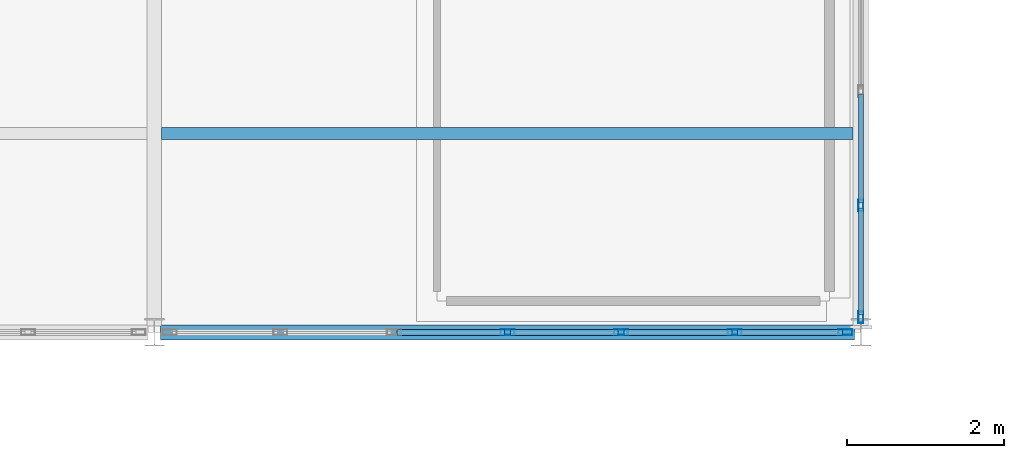
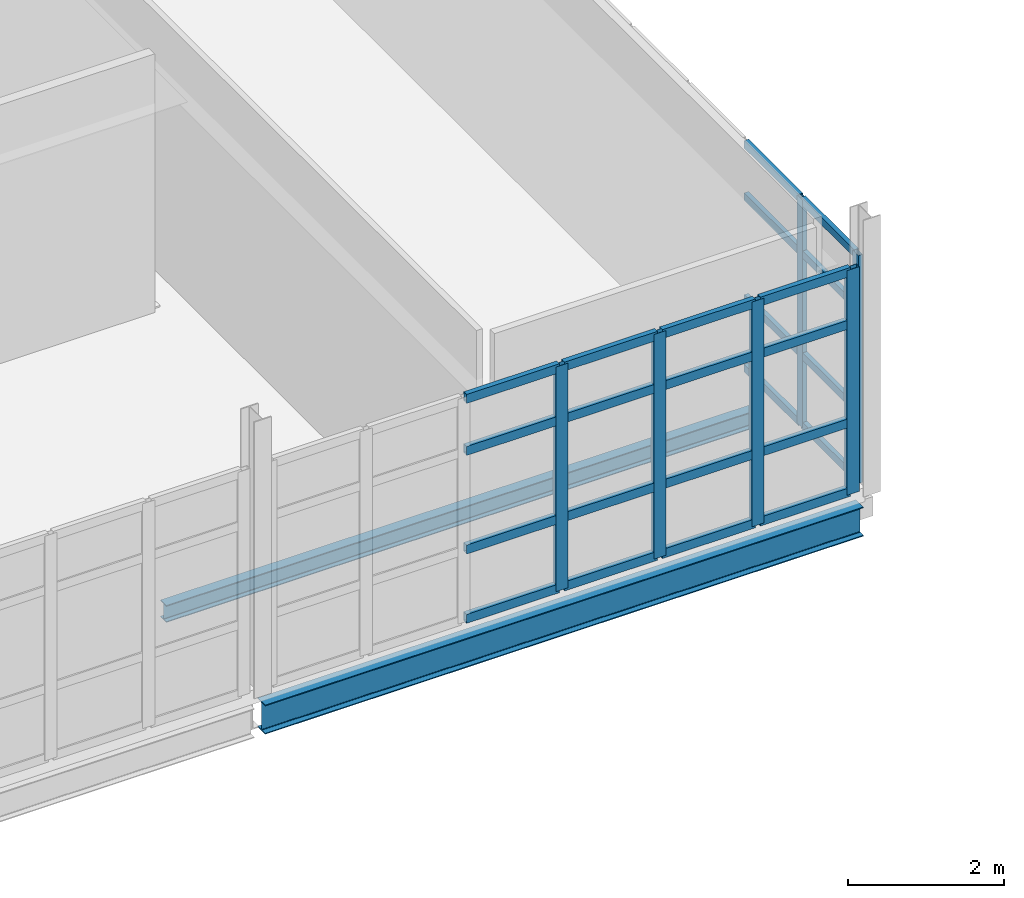
# One storey, part 116 of 174: 30 members, 2 beams, 2 elements without a shape of their own.
"""IFC4 building model written with IfcOpenShell, lengths in metres."""

import ifcopenshell
import ifcopenshell.guid

model = None  # the IFC model being written
_history = None  # IfcOwnerHistory: only IFC2X3 demands one
_inside = {}  # id of a spatial element -> (the spatial element, [elements in it])
_under = {}  # id of a project, library or spatial element -> (it, [spatial elements below it])
_declared = {}  # id of a project -> (the project, [libraries it declares])
_typed = {}  # id of a type object -> (the type object, [elements of that type])
_made_of = {}  # id of a material, layer set ... -> (it, [elements and type objects made of it])


def new_model(schema):
    """Start an empty IFC model of exactly this schema.

    Asked for "IFC4X3", IfcOpenShell would pick the latest addendum, in which some entities
    have other attributes; the version numbers below select the first issue.
    IFC2X3 requires an IfcOwnerHistory on every rooted entity: one is made here for all.
    """
    global model, _history
    if schema == "IFC4X3":
        model = ifcopenshell.file(schema_version=(4, 3, 0, 0))
    else:
        model = ifcopenshell.file(schema=schema)
    _inside.clear()
    _under.clear()
    _declared.clear()
    _typed.clear()
    _made_of.clear()
    _history = None
    if model.schema == "IFC2X3":
        org = make("IfcOrganization", Name="unknown")
        user = make(
            "IfcPersonAndOrganization",
            ThePerson=make("IfcPerson", FamilyName="unknown"),
            TheOrganization=org,
        )
        app = make(
            "IfcApplication",
            ApplicationDeveloper=org,
            Version="unknown",
            ApplicationFullName="unknown",
            ApplicationIdentifier="unknown",
        )
        _history = make(
            "IfcOwnerHistory",
            OwningUser=user,
            OwningApplication=app,
            ChangeAction="ADDED",
            CreationDate=0,
        )
    return model


def make(cls, **values):
    """One entity of the class cls with the attributes given. An attribute that is None is left unset."""
    return model.create_entity(
        cls, **{name: value for name, value in values.items() if value is not None}
    )


def rooted(cls, **values):
    """An entity with a GlobalId (a new one), such as an element, a storey or a relation."""
    return make(cls, GlobalId=ifcopenshell.guid.new(), OwnerHistory=_history, **values)


def si_unit(unit_type, name, prefix=None):
    """IfcSIUnit, for example si_unit("LENGTHUNIT", "METRE", prefix="MILLI")."""
    return make("IfcSIUnit", UnitType=unit_type, Prefix=prefix, Name=name)


def assignment(units):
    """IfcUnitAssignment: the units of a project."""
    return None if units is None else make("IfcUnitAssignment", Units=units)


def point(xyz):
    """IfcCartesianPoint."""
    return None if xyz is None else make("IfcCartesianPoint", Coordinates=xyz)


def direction(xyz):
    """IfcDirection."""
    return None if xyz is None else make("IfcDirection", DirectionRatios=xyz)


def frame(location, z_axis=None, x_axis=None):
    """IfcAxis2Placement3D, a coordinate frame: its origin and axes. An axis left out is left unset."""
    return make(
        "IfcAxis2Placement3D",
        Location=point(location),
        Axis=direction(z_axis),
        RefDirection=direction(x_axis),
    )


def frame_2d(location, x_axis=None):
    """IfcAxis2Placement2D, a coordinate frame in the plane: its origin and x axis."""
    return make(
        "IfcAxis2Placement2D", Location=point(location), RefDirection=direction(x_axis)
    )


def origin():
    """The frame at (0, 0, 0) with its axes left unset."""
    return frame((0.0, 0.0, 0.0))


def origin_2d():
    """The frame at (0, 0) in the plane with its x axis left unset."""
    return frame_2d((0.0, 0.0))


def place(relative_to, where):
    """IfcLocalPlacement: puts the frame where relative to a parent placement (None: the world)."""
    return make(
        "IfcLocalPlacement", PlacementRelTo=relative_to, RelativePlacement=where
    )


def context(
    kind, dimensions, precision=None, world=None, true_north=None, identifier=None
):
    """IfcGeometricRepresentationContext, for example the 3D "Model" context."""
    return make(
        "IfcGeometricRepresentationContext",
        ContextIdentifier=identifier,
        ContextType=kind,
        CoordinateSpaceDimension=dimensions,
        Precision=precision,
        WorldCoordinateSystem=world,
        TrueNorth=true_north,
    )


def subcontext(parent, identifier, kind, view, scale=None):
    """IfcGeometricRepresentationSubContext, for example "Body" below "Model"."""
    return make(
        "IfcGeometricRepresentationSubContext",
        ContextIdentifier=identifier,
        ContextType=kind,
        ParentContext=parent,
        TargetScale=scale,
        TargetView=view,
    )


def project(units=None, contexts=None):
    """IfcProject with its units and contexts."""
    return rooted(
        "IfcProject",
        Name="project",
        RepresentationContexts=contexts,
        UnitsInContext=assignment(units),
    )


def spatial(cls, under=None, at=None, **own):
    """A site, building, storey or space (cls), placed at a placement, below another one or the project."""
    s = rooted(cls, ObjectPlacement=at, **own)
    if under is not None:
        _under.setdefault(under.id(), (under, []))[1].append(s)
    return s


def profile(cls, at=None, kind="AREA", **sizes):
    """A parametric profile (cls). Its sizes go by their IFC names, for example OverallWidth=200.0."""
    return make(cls, ProfileType=kind, Position=at, **sizes)


def hollow_rectangle(**sizes):
    """IfcRectangleHollowProfileDef."""
    return profile("IfcRectangleHollowProfileDef", **sizes)


def i_section(**sizes):
    """IfcIShapeProfileDef."""
    return profile("IfcIShapeProfileDef", **sizes)


def extrude(swept, where, along, depth):
    """IfcExtrudedAreaSolid: the profile swept, set in the frame where, extruded along a direction by depth."""
    return make(
        "IfcExtrudedAreaSolid",
        SweptArea=swept,
        Position=where,
        ExtrudedDirection=direction(along),
        Depth=depth,
    )


def shape(context_of_items, identifier, shape_type, items):
    """IfcShapeRepresentation: the items that make up one representation, for example the "Body"."""
    return make(
        "IfcShapeRepresentation",
        ContextOfItems=context_of_items,
        RepresentationIdentifier=identifier,
        RepresentationType=shape_type,
        Items=items,
    )


def material(Name=None, Category=None):
    """IfcMaterial."""
    return make("IfcMaterial", Name=Name, Category=Category)


def material_profile(
    of_material, cross_section, Name=None, Category=None, Priority=None
):
    """IfcMaterialProfile: a cross section and its material."""
    return make(
        "IfcMaterialProfile",
        Name=Name,
        Material=of_material,
        Profile=cross_section,
        Priority=Priority,
        Category=Category,
    )


def profile_set(profiles, Name=None, composite=None):
    """IfcMaterialProfileSet."""
    return make(
        "IfcMaterialProfileSet",
        Name=Name,
        MaterialProfiles=profiles,
        CompositeProfile=composite,
    )


def made_of(thing, what):
    """Note that an element or type object is made of a material, layer set ...; save() writes the relation."""
    if what is not None:
        _made_of.setdefault(what.id(), (what, []))[1].append(thing)
    return thing


def type_object(cls, material=None, **own):
    """A type object (cls), such as IfcWallType, which elements share."""
    return made_of(rooted(cls, **own), material)


def element(
    cls,
    number,
    at=None,
    inside=None,
    cuts=None,
    type_object=None,
    material=None,
    context=None,
    identifier="Body",
    shape_type=None,
    held_by="IfcProductDefinitionShape",
    body=None,
    shapes=None,
    **own,
):
    """One element of the class cls, such as IfcWall. Its Tag is "e" and its number.

    at: its placement. inside: the storey or other place that contains it. cuts: it is an
    opening in that element (IfcRelVoidsElement). A single representation is given by context,
    identifier, shape_type and body (its items); several are given by shapes. held_by: the class
    of the entity that holds the representations. save() writes the other relations.
    """
    e = rooted(cls, Tag="e%d" % number, ObjectPlacement=at, **own)
    if body is not None:
        shapes = [shape(context, identifier, shape_type, body)]
    if shapes is not None:
        e.Representation = make(held_by, Representations=shapes)
    if inside is not None:
        _inside.setdefault(inside.id(), (inside, []))[1].append(e)
    if cuts is not None:
        rooted(
            "IfcRelVoidsElement", RelatingBuildingElement=cuts, RelatedOpeningElement=e
        )
    if type_object is not None:
        _typed.setdefault(type_object.id(), (type_object, []))[1].append(e)
    return made_of(e, material)


def aggregate(whole, parts):
    """IfcRelAggregates: a whole, such as a stair, and the parts it consists of."""
    return rooted("IfcRelAggregates", RelatingObject=whole, RelatedObjects=parts)


def save(model, path):
    """Write the relations noted so far, then the file.

    IfcRelAggregates (storeys below a building ...), IfcRelContainedInSpatialStructure (elements
    in a storey), IfcRelDefinesByType, IfcRelAssociatesMaterial and IfcRelDeclares: one each for
    every whole, place, type object, material and project.
    """
    for whole, parts in _under.values():
        aggregate(whole, parts)
    for where, things in _inside.values():
        rooted(
            "IfcRelContainedInSpatialStructure",
            RelatedElements=things,
            RelatingStructure=where,
        )
    for kind, things in _typed.values():
        rooted("IfcRelDefinesByType", RelatedObjects=things, RelatingType=kind)
    for what, things in _made_of.values():
        rooted("IfcRelAssociatesMaterial", RelatedObjects=things, RelatingMaterial=what)
    for by, libraries in _declared.values():
        rooted("IfcRelDeclares", RelatingContext=by, RelatedDefinitions=libraries)
    model.write(path)


model = new_model("IFC4")

# Units and contexts
model_context = context("Model", 3, precision=1e-05, world=origin(), true_north=direction((0.0, 1.0)))
body_context = subcontext(model_context, "Body", "Model", "MODEL_VIEW")
ifc_project = project(units=[si_unit("LENGTHUNIT", "METRE"), si_unit("AREAUNIT", "SQUARE_METRE"), si_unit("VOLUMEUNIT", "CUBIC_METRE"), si_unit("PLANEANGLEUNIT", "RADIAN"), si_unit("MASSUNIT", "GRAM", prefix="KILO")], contexts=[model_context])

# Site, building, storey
site_placement = place(None, origin())
site = spatial("IfcSite", under=ifc_project, at=site_placement, CompositionType="ELEMENT")
building_placement = place(site_placement, origin())
building = spatial("IfcBuilding", under=site, at=building_placement, Name="Caisbarro Railhouse Central Library", CompositionType="ELEMENT")
storey_placement = place(building_placement, frame((0.0, 0.0, 5.0400390625)))
storey = spatial("IfcBuildingStorey", under=building, at=storey_placement, Name="L01", CompositionType="ELEMENT", Elevation=5.0400390625)

# Beams
ifc_material_1 = material(Name="Steel ASTM A572 Grade 50", Category="steel")
ifc_material_profile_1 = material_profile(ifc_material_1, i_section(OverallWidth=0.14794921875, OverallDepth=0.26611328125, WebThickness=0.007568359375, FlangeThickness=0.012939453125, FilletRadius=0.010009765625, at=origin_2d()), Name="W250X44.8")
ifc_profile_set_1 = profile_set([ifc_material_profile_1], Name="Steel ASTM A572 Grade 50")
beam_type_1 = type_object("IfcBeamType", Name="BM-J04", PredefinedType="JOIST", material=ifc_profile_set_1)
beam_1_placement = place(storey_placement, frame((144.094970703125, 63.333251953125, -0.35302734375), z_axis=(1.0, 0.0, 0.0), x_axis=(0.0, 1.0, 0.0)))
element("IfcBeam", 1, at=beam_1_placement, inside=storey, type_object=beam_type_1, Name="J04 beam L01 #994", PredefinedType="JOIST", context=body_context, shape_type="SweptSolid", body=[
    extrude(i_section(OverallWidth=0.14794921875, OverallDepth=0.26611328125, WebThickness=0.007568359375, FlangeThickness=0.012939453125, FilletRadius=0.010009765625, at=origin_2d()), origin(), (0.0, 0.0, 1.0), 8.804931640625),
])
ifc_material_profile_2 = material_profile(ifc_material_1, i_section(OverallWidth=0.18994140625, OverallDepth=0.45703125, WebThickness=0.009033203125, FlangeThickness=0.014404296875, FilletRadius=0.01806640625, at=origin_2d()), Name="W460X74.0")
ifc_profile_set_2 = profile_set([ifc_material_profile_2], Name="Steel ASTM A572 Grade 50")
beam_type_2 = type_object("IfcBeamType", Name="BM-SP01", PredefinedType="SPANDREL", material=ifc_profile_set_2)
beam_2_placement = place(storey_placement, frame((144.080078125, 60.800048828125, -0.448486328125), z_axis=(1.0, 0.0, 0.0), x_axis=(0.0, 1.0, 0.0)))
element("IfcBeam", 2, at=beam_2_placement, inside=storey, type_object=beam_type_2, Name="SP01 beam L01 #904", PredefinedType="SPANDREL", context=body_context, shape_type="SweptSolid", body=[
    extrude(i_section(OverallWidth=0.18994140625, OverallDepth=0.45703125, WebThickness=0.009033203125, FlangeThickness=0.014404296875, FilletRadius=0.01806640625, at=origin_2d()), origin(), (0.0, 0.0, 1.0), 8.83984375),
])

# Curtain wall, members
ifc_material_2 = material(Name="Anodised architectural aluminium", Category="aluminium")
curtain_wall_type_1 = type_object("IfcCurtainWallType", Name="CW-CW02", PredefinedType="NOTDEFINED", material=ifc_material_2)
curtain_wall_1_placement = place(storey_placement, origin())
curtain_wall_1 = element("IfcCurtainWall", 3, at=curtain_wall_1_placement, inside=storey, type_object=curtain_wall_type_1, Name="CW02 curtain wall L01 #120", PredefinedType="NOTDEFINED")
ifc_material_profile_3 = material_profile(ifc_material_2, hollow_rectangle(XDim=0.074951171875, YDim=0.179931640625, WallThickness=0.00439453125, at=origin_2d()), Name="ALU-MUL-75X180")
ifc_profile_set_3 = profile_set([ifc_material_profile_3], Name="Anodised architectural aluminium")
member_type_1 = type_object("IfcMemberType", Name="CWM-M01", PredefinedType="MULLION", material=ifc_profile_set_3)
member_1_placement = place(storey_placement, frame((148.5, 60.800048828125, 0.0), z_axis=(0.0, 0.0, 1.0), x_axis=(0.0, 1.0, 0.0)))
member_1 = element("IfcMember", 4, at=member_1_placement, type_object=member_type_1, Name="CW02 mullion 4", PredefinedType="MULLION", context=body_context, shape_type="SweptSolid", body=[
    extrude(hollow_rectangle(XDim=0.074951171875, YDim=0.179931640625, WallThickness=0.00439453125, at=origin_2d()), origin(), (0.0, 0.0, 1.0), 3.510009765625),
])
member_2_placement = place(storey_placement, frame((149.94677734375, 60.800048828125, 0.0), z_axis=(0.0, 0.0, 1.0), x_axis=(0.0, 1.0, 0.0)))
member_2 = element("IfcMember", 5, at=member_2_placement, type_object=member_type_1, Name="CW02 mullion 5", PredefinedType="MULLION", context=body_context, shape_type="SweptSolid", body=[
    extrude(hollow_rectangle(XDim=0.074951171875, YDim=0.179931640625, WallThickness=0.00439453125, at=origin_2d()), origin(), (0.0, 0.0, 1.0), 3.510009765625),
])
member_3_placement = place(storey_placement, frame((151.393310546875, 60.800048828125, 0.0), z_axis=(0.0, 0.0, 1.0), x_axis=(0.0, 1.0, 0.0)))
member_3 = element("IfcMember", 6, at=member_3_placement, type_object=member_type_1, Name="CW02 mullion 6", PredefinedType="MULLION", context=body_context, shape_type="SweptSolid", body=[
    extrude(hollow_rectangle(XDim=0.074951171875, YDim=0.179931640625, WallThickness=0.00439453125, at=origin_2d()), origin(), (0.0, 0.0, 1.0), 3.510009765625),
])
member_4_placement = place(storey_placement, frame((152.802490234375, 60.800048828125, 0.0), z_axis=(0.0, 0.0, 1.0), x_axis=(0.0, 1.0, 0.0)))
member_4 = element("IfcMember", 7, at=member_4_placement, type_object=member_type_1, Name="CW02 mullion 7", PredefinedType="MULLION", context=body_context, shape_type="SweptSolid", body=[
    extrude(hollow_rectangle(XDim=0.074951171875, YDim=0.179931640625, WallThickness=0.00439453125, at=origin_2d()), origin(), (0.0, 0.0, 1.0), 3.510009765625),
])

curtain_wall_type_2 = type_object("IfcCurtainWallType", Name="CW-CW03", PredefinedType="NOTDEFINED", material=ifc_material_2)
curtain_wall_2_placement = place(storey_placement, origin())
curtain_wall_2 = element("IfcCurtainWall", 8, at=curtain_wall_2_placement, inside=storey, type_object=curtain_wall_type_2, Name="CW03 curtain wall L01 #121", PredefinedType="NOTDEFINED")
ifc_material_profile_4 = material_profile(ifc_material_2, hollow_rectangle(XDim=0.06494140625, YDim=0.14990234375, WallThickness=0.00390625, at=origin_2d()), Name="ALU-MUL-65X150")
ifc_profile_set_4 = profile_set([ifc_material_profile_4], Name="Anodised architectural aluminium")
member_type_2 = type_object("IfcMemberType", Name="CWM-M02", PredefinedType="MULLION", material=ifc_profile_set_4)
member_5_placement = place(storey_placement, frame((153.0, 60.992431640625, 0.0), z_axis=(0.0, 0.0, 1.0), x_axis=(-1.0, 0.0, 0.0)))
member_5 = element("IfcMember", 9, at=member_5_placement, type_object=member_type_2, Name="CW03 mullion 1", PredefinedType="MULLION", context=body_context, shape_type="SweptSolid", body=[
    extrude(hollow_rectangle(XDim=0.06494140625, YDim=0.14990234375, WallThickness=0.00390625, at=origin_2d()), origin(), (0.0, 0.0, 1.0), 3.56005859375),
])
member_6_placement = place(storey_placement, frame((153.0, 62.416015625, 0.0), z_axis=(0.0, 0.0, 1.0), x_axis=(-1.0, 0.0, 0.0)))
member_6 = element("IfcMember", 10, at=member_6_placement, type_object=member_type_2, Name="CW03 mullion 2", PredefinedType="MULLION", context=body_context, shape_type="SweptSolid", body=[
    extrude(hollow_rectangle(XDim=0.06494140625, YDim=0.14990234375, WallThickness=0.00390625, at=origin_2d()), origin(), (0.0, 0.0, 1.0), 3.56005859375),
])

# Member
ifc_material_profile_5 = material_profile(ifc_material_2, hollow_rectangle(XDim=0.074951171875, YDim=0.139892578125, WallThickness=0.00390625, at=origin_2d()), Name="ALU-TRN-75X140")
ifc_profile_set_5 = profile_set([ifc_material_profile_5], Name="Anodised architectural aluminium")
member_type_3 = type_object("IfcMemberType", Name="CWT-T01", PredefinedType="USERDEFINED", material=ifc_profile_set_5)
member_7_placement = place(storey_placement, frame((147.0908203125, 60.800048828125, 0.037353515625), z_axis=(1.0, 0.0, 0.0), x_axis=(0.0, 1.0, 0.0)))
member_7 = element("IfcMember", 11, at=member_7_placement, type_object=member_type_3, Name="CW02 transom 3.1", ObjectType="TRANSOM", PredefinedType="USERDEFINED", context=body_context, shape_type="SweptSolid", body=[
    extrude(hollow_rectangle(XDim=0.074951171875, YDim=0.139892578125, WallThickness=0.00390625, at=origin_2d()), origin(), (0.0, 0.0, 1.0), 1.37158203125),
])

member_8_placement = place(storey_placement, frame((147.0908203125, 60.800048828125, 1.119873046875), z_axis=(1.0, 0.0, 0.0), x_axis=(0.0, 1.0, 0.0)))
member_8 = element("IfcMember", 12, at=member_8_placement, type_object=member_type_3, Name="CW02 transom 3.2", ObjectType="TRANSOM", PredefinedType="USERDEFINED", context=body_context, shape_type="SweptSolid", body=[
    extrude(hollow_rectangle(XDim=0.074951171875, YDim=0.139892578125, WallThickness=0.00390625, at=origin_2d()), origin(), (0.0, 0.0, 1.0), 1.37158203125),
])

member_9_placement = place(storey_placement, frame((147.0908203125, 60.800048828125, 2.659912109375), z_axis=(1.0, 0.0, 0.0), x_axis=(0.0, 1.0, 0.0)))
member_9 = element("IfcMember", 13, at=member_9_placement, type_object=member_type_3, Name="CW02 transom 3.3", ObjectType="TRANSOM", PredefinedType="USERDEFINED", context=body_context, shape_type="SweptSolid", body=[
    extrude(hollow_rectangle(XDim=0.074951171875, YDim=0.139892578125, WallThickness=0.00390625, at=origin_2d()), origin(), (0.0, 0.0, 1.0), 1.37158203125),
])

member_10_placement = place(storey_placement, frame((147.0908203125, 60.800048828125, 3.472412109375), z_axis=(1.0, 0.0, 0.0), x_axis=(0.0, 1.0, 0.0)))
member_10 = element("IfcMember", 14, at=member_10_placement, type_object=member_type_3, Name="CW02 transom 3.4", ObjectType="TRANSOM", PredefinedType="USERDEFINED", context=body_context, shape_type="SweptSolid", body=[
    extrude(hollow_rectangle(XDim=0.074951171875, YDim=0.139892578125, WallThickness=0.00390625, at=origin_2d()), origin(), (0.0, 0.0, 1.0), 1.37158203125),
])

member_11_placement = place(storey_placement, frame((148.53759765625, 60.800048828125, 0.037353515625), z_axis=(1.0, 0.0, 0.0), x_axis=(0.0, 1.0, 0.0)))
member_11 = element("IfcMember", 15, at=member_11_placement, type_object=member_type_3, Name="CW02 transom 4.1", ObjectType="TRANSOM", PredefinedType="USERDEFINED", context=body_context, shape_type="SweptSolid", body=[
    extrude(hollow_rectangle(XDim=0.074951171875, YDim=0.139892578125, WallThickness=0.00390625, at=origin_2d()), origin(), (0.0, 0.0, 1.0), 1.37158203125),
])

member_12_placement = place(storey_placement, frame((148.53759765625, 60.800048828125, 1.119873046875), z_axis=(1.0, 0.0, 0.0), x_axis=(0.0, 1.0, 0.0)))
member_12 = element("IfcMember", 16, at=member_12_placement, type_object=member_type_3, Name="CW02 transom 4.2", ObjectType="TRANSOM", PredefinedType="USERDEFINED", context=body_context, shape_type="SweptSolid", body=[
    extrude(hollow_rectangle(XDim=0.074951171875, YDim=0.139892578125, WallThickness=0.00390625, at=origin_2d()), origin(), (0.0, 0.0, 1.0), 1.37158203125),
])

member_13_placement = place(storey_placement, frame((148.53759765625, 60.800048828125, 2.659912109375), z_axis=(1.0, 0.0, 0.0), x_axis=(0.0, 1.0, 0.0)))
member_13 = element("IfcMember", 17, at=member_13_placement, type_object=member_type_3, Name="CW02 transom 4.3", ObjectType="TRANSOM", PredefinedType="USERDEFINED", context=body_context, shape_type="SweptSolid", body=[
    extrude(hollow_rectangle(XDim=0.074951171875, YDim=0.139892578125, WallThickness=0.00390625, at=origin_2d()), origin(), (0.0, 0.0, 1.0), 1.37158203125),
])

member_14_placement = place(storey_placement, frame((148.53759765625, 60.800048828125, 3.472412109375), z_axis=(1.0, 0.0, 0.0), x_axis=(0.0, 1.0, 0.0)))
member_14 = element("IfcMember", 18, at=member_14_placement, type_object=member_type_3, Name="CW02 transom 4.4", ObjectType="TRANSOM", PredefinedType="USERDEFINED", context=body_context, shape_type="SweptSolid", body=[
    extrude(hollow_rectangle(XDim=0.074951171875, YDim=0.139892578125, WallThickness=0.00390625, at=origin_2d()), origin(), (0.0, 0.0, 1.0), 1.37158203125),
])

member_15_placement = place(storey_placement, frame((149.984130859375, 60.800048828125, 0.037353515625), z_axis=(1.0, 0.0, 0.0), x_axis=(0.0, 1.0, 0.0)))
member_15 = element("IfcMember", 19, at=member_15_placement, type_object=member_type_3, Name="CW02 transom 5.1", ObjectType="TRANSOM", PredefinedType="USERDEFINED", context=body_context, shape_type="SweptSolid", body=[
    extrude(hollow_rectangle(XDim=0.074951171875, YDim=0.139892578125, WallThickness=0.00390625, at=origin_2d()), origin(), (0.0, 0.0, 1.0), 1.37158203125),
])

member_16_placement = place(storey_placement, frame((149.984130859375, 60.800048828125, 1.119873046875), z_axis=(1.0, 0.0, 0.0), x_axis=(0.0, 1.0, 0.0)))
member_16 = element("IfcMember", 20, at=member_16_placement, type_object=member_type_3, Name="CW02 transom 5.2", ObjectType="TRANSOM", PredefinedType="USERDEFINED", context=body_context, shape_type="SweptSolid", body=[
    extrude(hollow_rectangle(XDim=0.074951171875, YDim=0.139892578125, WallThickness=0.00390625, at=origin_2d()), origin(), (0.0, 0.0, 1.0), 1.37158203125),
])

member_17_placement = place(storey_placement, frame((149.984130859375, 60.800048828125, 2.659912109375), z_axis=(1.0, 0.0, 0.0), x_axis=(0.0, 1.0, 0.0)))
member_17 = element("IfcMember", 21, at=member_17_placement, type_object=member_type_3, Name="CW02 transom 5.3", ObjectType="TRANSOM", PredefinedType="USERDEFINED", context=body_context, shape_type="SweptSolid", body=[
    extrude(hollow_rectangle(XDim=0.074951171875, YDim=0.139892578125, WallThickness=0.00390625, at=origin_2d()), origin(), (0.0, 0.0, 1.0), 1.37158203125),
])

member_18_placement = place(storey_placement, frame((149.984130859375, 60.800048828125, 3.472412109375), z_axis=(1.0, 0.0, 0.0), x_axis=(0.0, 1.0, 0.0)))
member_18 = element("IfcMember", 22, at=member_18_placement, type_object=member_type_3, Name="CW02 transom 5.4", ObjectType="TRANSOM", PredefinedType="USERDEFINED", context=body_context, shape_type="SweptSolid", body=[
    extrude(hollow_rectangle(XDim=0.074951171875, YDim=0.139892578125, WallThickness=0.00390625, at=origin_2d()), origin(), (0.0, 0.0, 1.0), 1.37158203125),
])

member_19_placement = place(storey_placement, frame((151.430908203125, 60.800048828125, 0.037353515625), z_axis=(1.0, 0.0, 0.0), x_axis=(0.0, 1.0, 0.0)))
member_19 = element("IfcMember", 23, at=member_19_placement, type_object=member_type_3, Name="CW02 transom 6.1", ObjectType="TRANSOM", PredefinedType="USERDEFINED", context=body_context, shape_type="SweptSolid", body=[
    extrude(hollow_rectangle(XDim=0.074951171875, YDim=0.139892578125, WallThickness=0.00390625, at=origin_2d()), origin(), (0.0, 0.0, 1.0), 1.333984375),
])

member_20_placement = place(storey_placement, frame((151.430908203125, 60.800048828125, 1.119873046875), z_axis=(1.0, 0.0, 0.0), x_axis=(0.0, 1.0, 0.0)))
member_20 = element("IfcMember", 24, at=member_20_placement, type_object=member_type_3, Name="CW02 transom 6.2", ObjectType="TRANSOM", PredefinedType="USERDEFINED", context=body_context, shape_type="SweptSolid", body=[
    extrude(hollow_rectangle(XDim=0.074951171875, YDim=0.139892578125, WallThickness=0.00390625, at=origin_2d()), origin(), (0.0, 0.0, 1.0), 1.333984375),
])

member_21_placement = place(storey_placement, frame((151.430908203125, 60.800048828125, 2.659912109375), z_axis=(1.0, 0.0, 0.0), x_axis=(0.0, 1.0, 0.0)))
member_21 = element("IfcMember", 25, at=member_21_placement, type_object=member_type_3, Name="CW02 transom 6.3", ObjectType="TRANSOM", PredefinedType="USERDEFINED", context=body_context, shape_type="SweptSolid", body=[
    extrude(hollow_rectangle(XDim=0.074951171875, YDim=0.139892578125, WallThickness=0.00390625, at=origin_2d()), origin(), (0.0, 0.0, 1.0), 1.333984375),
])

member_22_placement = place(storey_placement, frame((151.430908203125, 60.800048828125, 3.472412109375), z_axis=(1.0, 0.0, 0.0), x_axis=(0.0, 1.0, 0.0)))
member_22 = element("IfcMember", 26, at=member_22_placement, type_object=member_type_3, Name="CW02 transom 6.4", ObjectType="TRANSOM", PredefinedType="USERDEFINED", context=body_context, shape_type="SweptSolid", body=[
    extrude(hollow_rectangle(XDim=0.074951171875, YDim=0.139892578125, WallThickness=0.00390625, at=origin_2d()), origin(), (0.0, 0.0, 1.0), 1.333984375),
])

aggregate(curtain_wall_1, [member_1, member_2, member_3, member_4, member_7, member_8, member_9, member_10, member_11, member_12, member_13, member_14, member_15, member_16, member_17, member_18, member_19, member_20, member_21, member_22])

ifc_material_profile_6 = material_profile(ifc_material_2, hollow_rectangle(XDim=0.06494140625, YDim=0.1201171875, WallThickness=0.00341796875, at=origin_2d()), Name="ALU-TRN-65X120")
ifc_profile_set_6 = profile_set([ifc_material_profile_6], Name="Anodised architectural aluminium")
member_type_4 = type_object("IfcMemberType", Name="CWT-T02", PredefinedType="USERDEFINED", material=ifc_profile_set_6)
member_23_placement = place(storey_placement, frame((153.0, 61.02490234375, 0.032470703125), z_axis=(0.0, 1.0, 0.0), x_axis=(-1.0, 0.0, 0.0)))
member_23 = element("IfcMember", 27, at=member_23_placement, type_object=member_type_4, Name="CW03 transom 1.1", ObjectType="TRANSOM", PredefinedType="USERDEFINED", context=body_context, shape_type="SweptSolid", body=[
    extrude(hollow_rectangle(XDim=0.06494140625, YDim=0.1201171875, WallThickness=0.00341796875, at=origin_2d()), origin(), (0.0, 0.0, 1.0), 1.358642578125),
])

member_24_placement = place(storey_placement, frame((153.0, 61.02490234375, 1.119873046875), z_axis=(0.0, 1.0, 0.0), x_axis=(-1.0, 0.0, 0.0)))
member_24 = element("IfcMember", 28, at=member_24_placement, type_object=member_type_4, Name="CW03 transom 1.2", ObjectType="TRANSOM", PredefinedType="USERDEFINED", context=body_context, shape_type="SweptSolid", body=[
    extrude(hollow_rectangle(XDim=0.06494140625, YDim=0.1201171875, WallThickness=0.00341796875, at=origin_2d()), origin(), (0.0, 0.0, 1.0), 1.358642578125),
])

member_25_placement = place(storey_placement, frame((153.0, 61.02490234375, 2.7099609375), z_axis=(0.0, 1.0, 0.0), x_axis=(-1.0, 0.0, 0.0)))
member_25 = element("IfcMember", 29, at=member_25_placement, type_object=member_type_4, Name="CW03 transom 1.3", ObjectType="TRANSOM", PredefinedType="USERDEFINED", context=body_context, shape_type="SweptSolid", body=[
    extrude(hollow_rectangle(XDim=0.06494140625, YDim=0.1201171875, WallThickness=0.00341796875, at=origin_2d()), origin(), (0.0, 0.0, 1.0), 1.358642578125),
])

member_26_placement = place(storey_placement, frame((153.0, 61.02490234375, 3.52734375), z_axis=(0.0, 1.0, 0.0), x_axis=(-1.0, 0.0, 0.0)))
member_26 = element("IfcMember", 30, at=member_26_placement, type_object=member_type_4, Name="CW03 transom 1.4", ObjectType="TRANSOM", PredefinedType="USERDEFINED", context=body_context, shape_type="SweptSolid", body=[
    extrude(hollow_rectangle(XDim=0.06494140625, YDim=0.1201171875, WallThickness=0.00341796875, at=origin_2d()), origin(), (0.0, 0.0, 1.0), 1.358642578125),
])

member_27_placement = place(storey_placement, frame((153.0, 62.448486328125, 0.032470703125), z_axis=(0.0, 1.0, 0.0), x_axis=(-1.0, 0.0, 0.0)))
member_27 = element("IfcMember", 31, at=member_27_placement, type_object=member_type_4, Name="CW03 transom 2.1", ObjectType="TRANSOM", PredefinedType="USERDEFINED", context=body_context, shape_type="SweptSolid", body=[
    extrude(hollow_rectangle(XDim=0.06494140625, YDim=0.1201171875, WallThickness=0.00341796875, at=origin_2d()), origin(), (0.0, 0.0, 1.0), 1.39111328125),
])

member_28_placement = place(storey_placement, frame((153.0, 62.448486328125, 1.119873046875), z_axis=(0.0, 1.0, 0.0), x_axis=(-1.0, 0.0, 0.0)))
member_28 = element("IfcMember", 32, at=member_28_placement, type_object=member_type_4, Name="CW03 transom 2.2", ObjectType="TRANSOM", PredefinedType="USERDEFINED", context=body_context, shape_type="SweptSolid", body=[
    extrude(hollow_rectangle(XDim=0.06494140625, YDim=0.1201171875, WallThickness=0.00341796875, at=origin_2d()), origin(), (0.0, 0.0, 1.0), 1.39111328125),
])

member_29_placement = place(storey_placement, frame((153.0, 62.448486328125, 2.7099609375), z_axis=(0.0, 1.0, 0.0), x_axis=(-1.0, 0.0, 0.0)))
member_29 = element("IfcMember", 33, at=member_29_placement, type_object=member_type_4, Name="CW03 transom 2.3", ObjectType="TRANSOM", PredefinedType="USERDEFINED", context=body_context, shape_type="SweptSolid", body=[
    extrude(hollow_rectangle(XDim=0.06494140625, YDim=0.1201171875, WallThickness=0.00341796875, at=origin_2d()), origin(), (0.0, 0.0, 1.0), 1.39111328125),
])

member_30_placement = place(storey_placement, frame((153.0, 62.448486328125, 3.52734375), z_axis=(0.0, 1.0, 0.0), x_axis=(-1.0, 0.0, 0.0)))
member_30 = element("IfcMember", 34, at=member_30_placement, type_object=member_type_4, Name="CW03 transom 2.4", ObjectType="TRANSOM", PredefinedType="USERDEFINED", context=body_context, shape_type="SweptSolid", body=[
    extrude(hollow_rectangle(XDim=0.06494140625, YDim=0.1201171875, WallThickness=0.00341796875, at=origin_2d()), origin(), (0.0, 0.0, 1.0), 1.39111328125),
])

aggregate(curtain_wall_2, [member_5, member_6, member_23, member_24, member_25, member_26, member_27, member_28, member_29, member_30])

save(model, "model.ifc")
